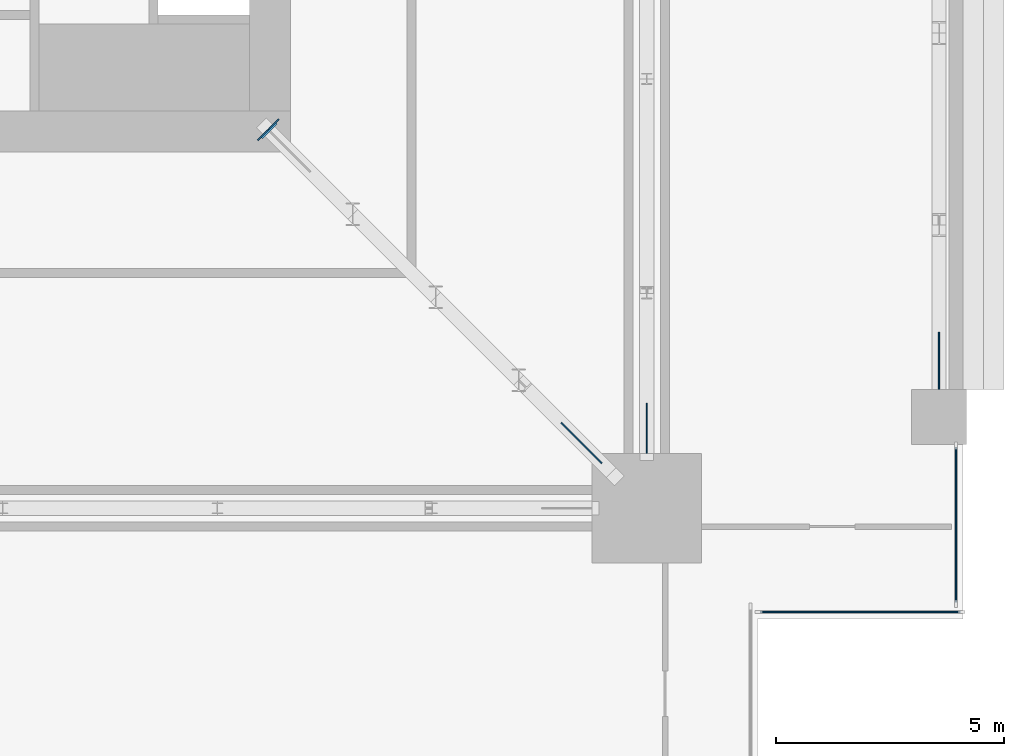
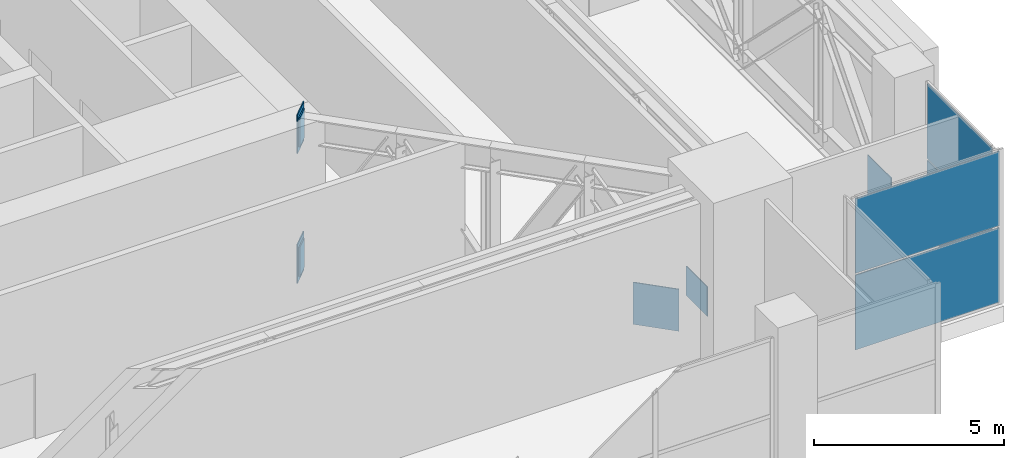
# One storey, part 13 of 21: 11 plates, 2 elements without a shape of their own.
"""IFC4 building model written with IfcOpenShell, lengths in metres."""

from ifc_helpers import new_model, si_unit, direction, frame, origin, origin_2d, place, context, subcontext, project, spatial, rectangle, extrude, material, layer, layer_set, type_object, element, aggregate, save


model = new_model("IFC4")

# Units and contexts
model_context = context("Model", 3, precision=1e-05, world=origin(), true_north=direction((0.0, 1.0)))
body_context = subcontext(model_context, "Body", "Model", "MODEL_VIEW")
ifc_project = project(units=[si_unit("LENGTHUNIT", "METRE"), si_unit("AREAUNIT", "SQUARE_METRE"), si_unit("VOLUMEUNIT", "CUBIC_METRE"), si_unit("PLANEANGLEUNIT", "RADIAN"), si_unit("MASSUNIT", "GRAM", prefix="KILO")], contexts=[model_context])

# Site, building, storey
site_placement = place(None, origin())
site = spatial("IfcSite", under=ifc_project, at=site_placement, CompositionType="ELEMENT")
building_placement = place(site_placement, origin())
building = spatial("IfcBuilding", under=site, at=building_placement, Name="Khepri Terraces", CompositionType="ELEMENT")
storey_placement = place(building_placement, frame((0.0, 0.0, 235.199951171875)))
storey = spatial("IfcBuildingStorey", under=building, at=storey_placement, Name="L56", CompositionType="ELEMENT", Elevation=235.199951171875)

# Curtain wall, plates
ifc_material_1 = material(Name="Anodised aluminium bronze curtain wall", Category="aluminium")
curtain_wall_type = type_object("IfcCurtainWallType", Name="CW-SYS3-SKY", PredefinedType="NOTDEFINED", material=ifc_material_1)
curtain_wall_1_placement = place(storey_placement, origin())
curtain_wall_1 = element("IfcCurtainWall", 1, at=curtain_wall_1_placement, inside=storey, type_object=curtain_wall_type, Name="Curtain wall CW3 L56 E", PredefinedType="NOTDEFINED")
ifc_material_2 = material(Name="Clear glass", Category="glass")
ifc_layer_1 = layer(ifc_material_2, 0.028076171875, Name="Clear glass", Category="glass")
ifc_layer_set_1 = layer_set([ifc_layer_1], Name="Clear glass")
plate_type_1 = type_object("IfcPlateType", Name="CW-PANEL-VISION-28", PredefinedType="CURTAIN_PANEL", material=ifc_layer_set_1)
plate_1_placement = place(storey_placement, frame((25.570068359375, -19.159912109375, 0.06005859375), z_axis=(0.0, 0.0, 1.0), x_axis=(0.0, 1.0, 0.0)))
plate_1 = element("IfcPlate", 2, at=plate_1_placement, type_object=plate_type_1, Name="CW3 panel 1.1", PredefinedType="CURTAIN_PANEL", context=body_context, shape_type="SweptSolid", body=[
    extrude(rectangle(XDim=3.39990234375, YDim=0.028076171875, at=origin_2d()), origin(), (0.0, 0.0, 1.0), 2.39990234375),
])
plate_2_placement = place(storey_placement, frame((25.570068359375, -19.159912109375, 2.52001953125), z_axis=(0.0, 0.0, 1.0), x_axis=(0.0, 1.0, 0.0)))
plate_2 = element("IfcPlate", 3, at=plate_2_placement, type_object=plate_type_1, Name="CW3 panel 1.2", PredefinedType="CURTAIN_PANEL", context=body_context, shape_type="SweptSolid", body=[
    extrude(rectangle(XDim=3.39990234375, YDim=0.028076171875, at=origin_2d()), origin(), (0.0, 0.0, 1.0), 2.39990234375),
])
aggregate(curtain_wall_1, [plate_1, plate_2])

curtain_wall_2_placement = place(storey_placement, origin())
curtain_wall_2 = element("IfcCurtainWall", 4, at=curtain_wall_2_placement, inside=storey, type_object=curtain_wall_type, Name="Curtain wall CW3 L56 S", PredefinedType="NOTDEFINED")
plate_3_placement = place(storey_placement, frame((23.469970703125, -21.070068359375, 0.06005859375), z_axis=(0.0, 0.0, 1.0), x_axis=(1.0, 0.0, 0.0)))
plate_3 = element("IfcPlate", 5, at=plate_3_placement, type_object=plate_type_1, Name="CW3 panel 1.1", PredefinedType="CURTAIN_PANEL", context=body_context, shape_type="SweptSolid", body=[
    extrude(rectangle(XDim=4.3798828125, YDim=0.028076171875, at=origin_2d()), origin(), (0.0, 0.0, 1.0), 2.39990234375),
])
plate_4_placement = place(storey_placement, frame((23.469970703125, -21.070068359375, 2.52001953125), z_axis=(0.0, 0.0, 1.0), x_axis=(1.0, 0.0, 0.0)))
plate_4 = element("IfcPlate", 6, at=plate_4_placement, type_object=plate_type_1, Name="CW3 panel 1.2", PredefinedType="CURTAIN_PANEL", context=body_context, shape_type="SweptSolid", body=[
    extrude(rectangle(XDim=4.3798828125, YDim=0.028076171875, at=origin_2d()), origin(), (0.0, 0.0, 1.0), 2.39990234375),
])
aggregate(curtain_wall_2, [plate_3, plate_4])

# Plates
ifc_material_3 = material(Name="Steel S355", Category="steel")
ifc_layer_2 = layer(ifc_material_3, 0.030029296875, Name="Steel S355", Category="steel")
ifc_layer_set_2 = layer_set([ifc_layer_2], Name="Steel S355")
plate_type_2 = type_object("IfcPlateType", Name="Cast-in plate 1250x650x30", PredefinedType="USERDEFINED", material=ifc_layer_set_2)
for number, where, z_axis, x_axis, name in (
    (7, (10.5146484375, -10.5146484375, -0.218017578125), (0.0, 0.0, 1.0), (0.707106781187, -0.707106781187, 0.0), "CAST-IN PLATE OT-56-ES BOT wall A"),
    (8, (10.5146484375, -10.5146484375, 3.947998046875), (0.0, 0.0, 1.0), (0.707106781187, -0.707106781187, 0.0), "CAST-IN PLATE OT-56-ES TOP wall A"),
):
    element("IfcPlate", number, at=place(storey_placement, frame(where, z_axis=z_axis, x_axis=x_axis)), inside=storey, type_object=plate_type_2, Name=name, ObjectType="CAST-IN PLATE", PredefinedType="USERDEFINED", context=body_context, shape_type="SweptSolid", body=[
        extrude(rectangle(XDim=0.030029296875, YDim=0.64990234375, at=origin_2d()), origin(), (0.0, 0.0, 1.0), 1.25),
    ])
ifc_layer_3 = layer(ifc_material_3, 0.034912109375, Name="Steel S355", Category="steel")
ifc_layer_set_3 = layer_set([ifc_layer_3], Name="Steel S355")
plate_type_3 = type_object("IfcPlateType", Name="End plate 950x450x35", PredefinedType="USERDEFINED", material=ifc_layer_set_3)
for number, where, z_axis, x_axis, name in (
    (9, (10.53759765625, -10.53759765625, -0.06787109375), (0.0, 0.0, 1.0), (0.707106781187, -0.707106781187, 0.0), "END PLATE OT-56-ES BOT end A"),
    (10, (10.53759765625, -10.53759765625, 4.09814453125), (0.0, 0.0, 1.0), (0.707106781187, -0.707106781187, 0.0), "END PLATE OT-56-ES TOP end A"),
):
    element("IfcPlate", number, at=place(storey_placement, frame(where, z_axis=z_axis, x_axis=x_axis)), inside=storey, type_object=plate_type_3, Name=name, ObjectType="END PLATE", PredefinedType="USERDEFINED", context=body_context, shape_type="SweptSolid", body=[
        extrude(rectangle(XDim=0.034912109375, YDim=0.449951171875, at=origin_2d()), origin(), (0.0, 0.0, 1.0), 0.949951171875),
    ])
ifc_layer_4 = layer(ifc_material_3, 0.02490234375, Name="Steel S355", Category="steel")
ifc_layer_set_4 = layer_set([ifc_layer_4], Name="Steel S355")
plate_type_4 = type_object("IfcPlateType", Name="Gusset plate 1100x950x25", PredefinedType="USERDEFINED", material=ifc_layer_set_4)
plate_5_placement = place(storey_placement, frame((18.800048828125, -17.050048828125, -0.10009765625), z_axis=(0.0, 0.0, 1.0), x_axis=(0.0, 1.0, 0.0)))
element("IfcPlate", 11, at=plate_5_placement, inside=storey, type_object=plate_type_4, Name="GUSSET PLATE BT-56-E column node A", ObjectType="GUSSET PLATE", PredefinedType="USERDEFINED", context=body_context, shape_type="SweptSolid", body=[
    extrude(rectangle(XDim=1.10009765625, YDim=0.02490234375, at=origin_2d()), origin(), (0.0, 0.0, 1.0), 0.949951171875),
])
ifc_layer_5 = layer(ifc_material_3, 0.030029296875, Name="Steel S355", Category="steel")
ifc_layer_set_5 = layer_set([ifc_layer_5], Name="Steel S355")
plate_type_5 = type_object("IfcPlateType", Name="Gusset plate 1250x1350x30", PredefinedType="USERDEFINED", material=ifc_layer_set_5)
for number, where, z_axis, x_axis, name in (
    (12, (17.3701171875, -17.3701171875, -0.10009765625), (0.0, 0.0, 1.0), (0.707106781187, -0.707106781187, 0.0), "GUSSET PLATE OT-56-ES column node B"),
    (13, (25.199951171875, -15.574951171875, -0.10009765625), (0.0, 0.0, 1.0), (0.0, 1.0, 0.0), "GUSSET PLATE TT-56-E column node A"),
):
    element("IfcPlate", number, at=place(storey_placement, frame(where, z_axis=z_axis, x_axis=x_axis)), inside=storey, type_object=plate_type_5, Name=name, ObjectType="GUSSET PLATE", PredefinedType="USERDEFINED", context=body_context, shape_type="SweptSolid", body=[
        extrude(rectangle(XDim=1.25, YDim=0.030029296875, at=origin_2d()), origin(), (0.0, 0.0, 1.0), 1.35009765625),
    ])

save(model, "model.ifc")
